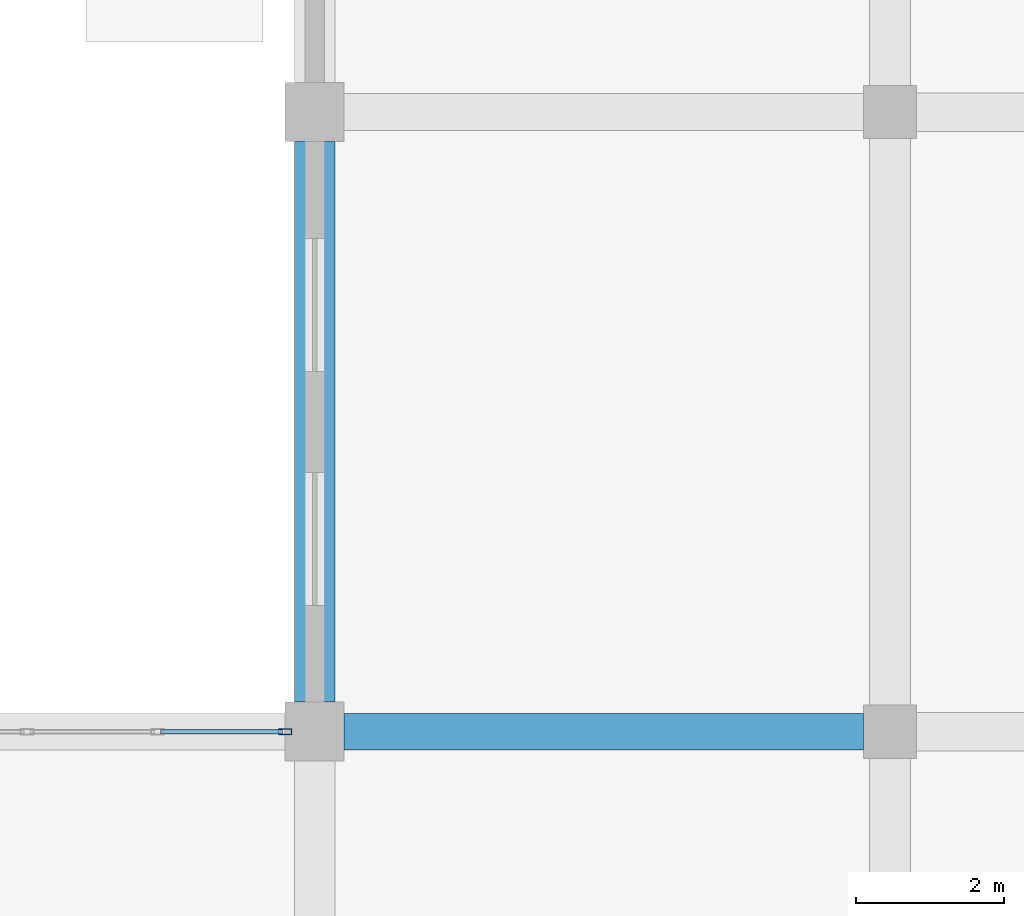
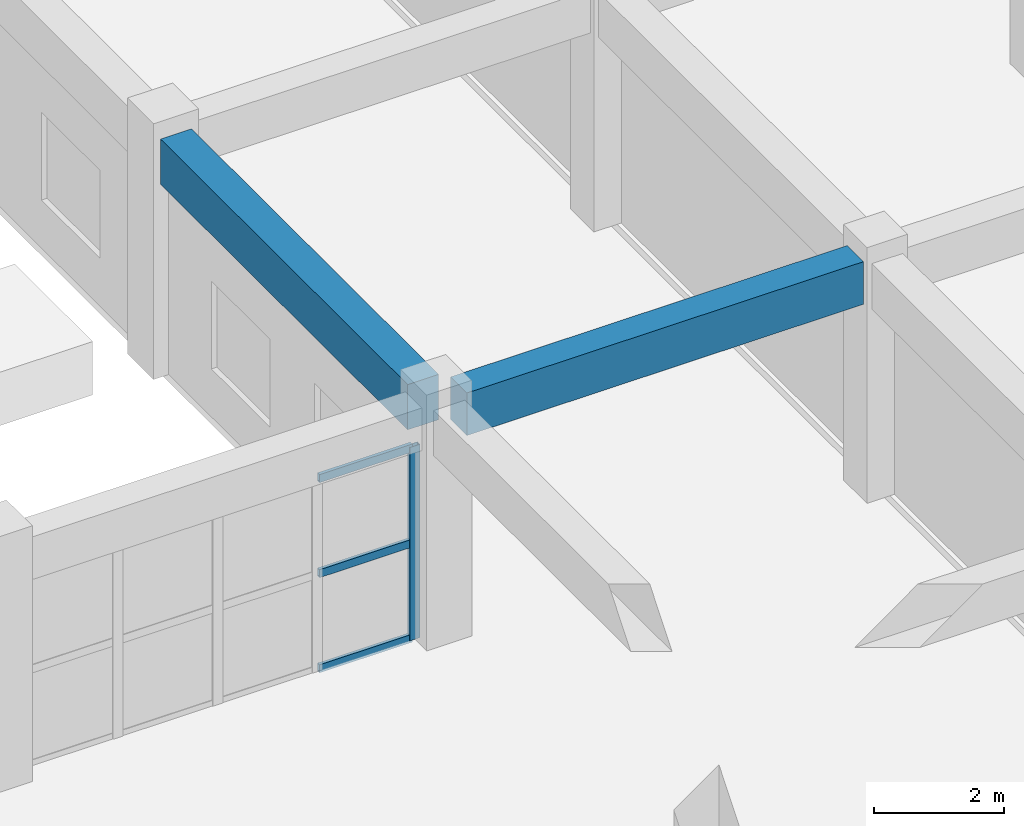
# One storey, part 59 of 139: 4 members, 2 beams, 1 element without a shape of its own.
"""IFC4 building model written with IfcOpenShell, lengths in metres."""

from ifc_helpers import new_model, si_unit, direction, frame, origin, origin_2d, place, context, subcontext, project, spatial, rectangle, hollow_rectangle, extrude, material, layer, layer_set, material_profile, profile_set, type_object, element, aggregate, save


model = new_model("IFC4")

# Units and contexts
model_context = context("Model", 3, precision=1e-05, world=origin(), true_north=direction((0.0, 1.0)))
body_context = subcontext(model_context, "Body", "Model", "MODEL_VIEW")
ifc_project = project(units=[si_unit("LENGTHUNIT", "METRE"), si_unit("AREAUNIT", "SQUARE_METRE"), si_unit("VOLUMEUNIT", "CUBIC_METRE"), si_unit("PLANEANGLEUNIT", "RADIAN"), si_unit("MASSUNIT", "GRAM", prefix="KILO")], contexts=[model_context])

# Site, building, storey
site_placement = place(None, origin())
site = spatial("IfcSite", under=ifc_project, at=site_placement, CompositionType="ELEMENT")
building_placement = place(site_placement, origin())
building = spatial("IfcBuilding", under=site, at=building_placement, Name="Zizhar Promenade General Hospital", CompositionType="ELEMENT")
storey_placement = place(building_placement, origin())
storey = spatial("IfcBuildingStorey", under=building, at=storey_placement, Name="L00", CompositionType="ELEMENT", Elevation=0.0)

# Beams
ifc_material_1 = material(Name="Concrete C35/45", Category="concrete")
ifc_material_profile_1 = material_profile(ifc_material_1, rectangle(XDim=0.5, YDim=0.800048828125, at=origin_2d()))
ifc_profile_set_1 = profile_set([ifc_material_profile_1], Name="Concrete C35/45")
beam_type_1 = type_object("IfcBeamType", Name="BM-RC-500x800", PredefinedType="BEAM", material=ifc_profile_set_1)
beam_1_placement = place(storey_placement, frame((125.199951171875, 50.39990234375, 4.070068359375), z_axis=(1.0, 0.0, 0.0), x_axis=(0.0, 1.0, 0.0)))
element("IfcBeam", 1, at=beam_1_placement, inside=storey, type_object=beam_type_1, Name="Grid Beam X L00 (16-6)", PredefinedType="BEAM", context=body_context, shape_type="SweptSolid", body=[
    extrude(rectangle(XDim=0.5, YDim=0.800048828125, at=origin_2d()), origin(), (0.0, 0.0, 1.0), 7.0400390625),
])
ifc_material_2 = material(Name="Concrete C35/45", Category="concrete")
ifc_material_profile_2 = material_profile(ifc_material_2, rectangle(XDim=0.550048828125, YDim=0.85009765625, at=origin_2d()))
ifc_profile_set_2 = profile_set([ifc_material_profile_2], Name="Concrete C35/45")
beam_type_2 = type_object("IfcBeamType", Name="BM-RC-550x850", PredefinedType="BEAM", material=ifc_profile_set_2)
beam_2_placement = place(storey_placement, frame((124.800048828125, 50.800048828125, 4.044921875), z_axis=(0.0, 1.0, 0.0), x_axis=(-1.0, 0.0, 0.0)))
element("IfcBeam", 2, at=beam_2_placement, inside=storey, type_object=beam_type_2, Name="Grid Beam Y L00 (16-6)", PredefinedType="BEAM", context=body_context, shape_type="SweptSolid", body=[
    extrude(rectangle(XDim=0.550048828125, YDim=0.85009765625, at=origin_2d()), origin(), (0.0, 0.0, 1.0), 7.599853515625),
])

# Curtain wall, members
ifc_material_3 = material(Name="Anodised aluminium 6063-T6 and low-E glass", Category="aluminium")
ifc_layer = layer(ifc_material_3, 0.159912109375)
ifc_layer_set = layer_set([ifc_layer], Name="Anodised aluminium 6063-T6 and low-E glass")
curtain_wall_type = type_object("IfcCurtainWallType", Name="CW-HALL-N", PredefinedType="NOTDEFINED", material=ifc_layer_set)
curtain_wall_placement = place(storey_placement, origin())
curtain_wall = element("IfcCurtainWall", 3, at=curtain_wall_placement, inside=storey, type_object=curtain_wall_type, Name="Main Hall Courtyard Curtain Wall L00-15", PredefinedType="NOTDEFINED")
ifc_material_4 = material(Name="Anodised aluminium 6063-T6", Category="aluminium")
ifc_material_profile_3 = material_profile(ifc_material_4, hollow_rectangle(XDim=0.080078125, YDim=0.179931640625, WallThickness=0.0048828125, at=origin_2d()))
ifc_profile_set_3 = profile_set([ifc_material_profile_3], Name="Anodised aluminium 6063-T6")
member_type_1 = type_object("IfcMemberType", Name="CWM-ALU-180x80", PredefinedType="MULLION", material=ifc_profile_set_3)
member_1_placement = place(storey_placement, frame((124.39990234375, 50.39990234375, 0.0), z_axis=(0.0, 0.0, 1.0), x_axis=(0.0, 1.0, 0.0)))
member_1 = element("IfcMember", 4, at=member_1_placement, type_object=member_type_1, Name="CW-02 mullion 5", PredefinedType="MULLION", context=body_context, shape_type="SweptSolid", body=[
    extrude(hollow_rectangle(XDim=0.080078125, YDim=0.179931640625, WallThickness=0.0048828125, at=origin_2d()), origin(), (0.0, 0.0, 1.0), 3.6298828125),
])
ifc_material_5 = material(Name="Anodised aluminium 6063-T6", Category="aluminium")
ifc_material_profile_4 = material_profile(ifc_material_5, hollow_rectangle(XDim=0.06005859375, YDim=0.14990234375, WallThickness=0.00390625, at=origin_2d()))
ifc_profile_set_4 = profile_set([ifc_material_profile_4], Name="Anodised aluminium 6063-T6")
member_type_2 = type_object("IfcMemberType", Name="CWT-ALU-150x60", PredefinedType="USERDEFINED", material=ifc_profile_set_4)
member_2_placement = place(storey_placement, frame((122.7099609375, 50.39990234375, 0.030029296875), z_axis=(1.0, 0.0, 0.0), x_axis=(0.0, 1.0, 0.0)))
member_2 = element("IfcMember", 5, at=member_2_placement, type_object=member_type_2, Name="CW-02 transom 4.1", ObjectType="TRANSOM", PredefinedType="USERDEFINED", context=body_context, shape_type="SweptSolid", body=[
    extrude(hollow_rectangle(XDim=0.06005859375, YDim=0.14990234375, WallThickness=0.00390625, at=origin_2d()), origin(), (0.0, 0.0, 1.0), 1.650146484375),
])
member_3_placement = place(storey_placement, frame((122.7099609375, 50.39990234375, 1.81494140625), z_axis=(1.0, 0.0, 0.0), x_axis=(0.0, 1.0, 0.0)))
member_3 = element("IfcMember", 6, at=member_3_placement, type_object=member_type_2, Name="CW-02 transom 4.2", ObjectType="TRANSOM", PredefinedType="USERDEFINED", context=body_context, shape_type="SweptSolid", body=[
    extrude(hollow_rectangle(XDim=0.06005859375, YDim=0.14990234375, WallThickness=0.00390625, at=origin_2d()), origin(), (0.0, 0.0, 1.0), 1.650146484375),
])
member_4_placement = place(storey_placement, frame((122.7099609375, 50.39990234375, 3.60009765625), z_axis=(1.0, 0.0, 0.0), x_axis=(0.0, 1.0, 0.0)))
member_4 = element("IfcMember", 7, at=member_4_placement, type_object=member_type_2, Name="CW-02 transom 4.3", ObjectType="TRANSOM", PredefinedType="USERDEFINED", context=body_context, shape_type="SweptSolid", body=[
    extrude(hollow_rectangle(XDim=0.06005859375, YDim=0.14990234375, WallThickness=0.00390625, at=origin_2d()), origin(), (0.0, 0.0, 1.0), 1.650146484375),
])
aggregate(curtain_wall, [member_1, member_2, member_3, member_4])

save(model, "model.ifc")
